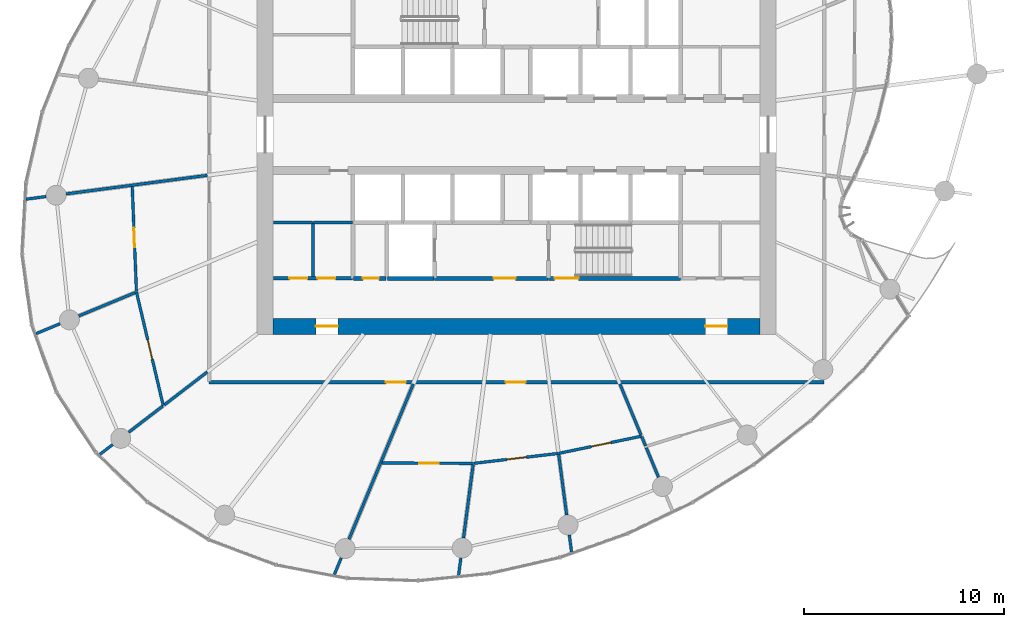
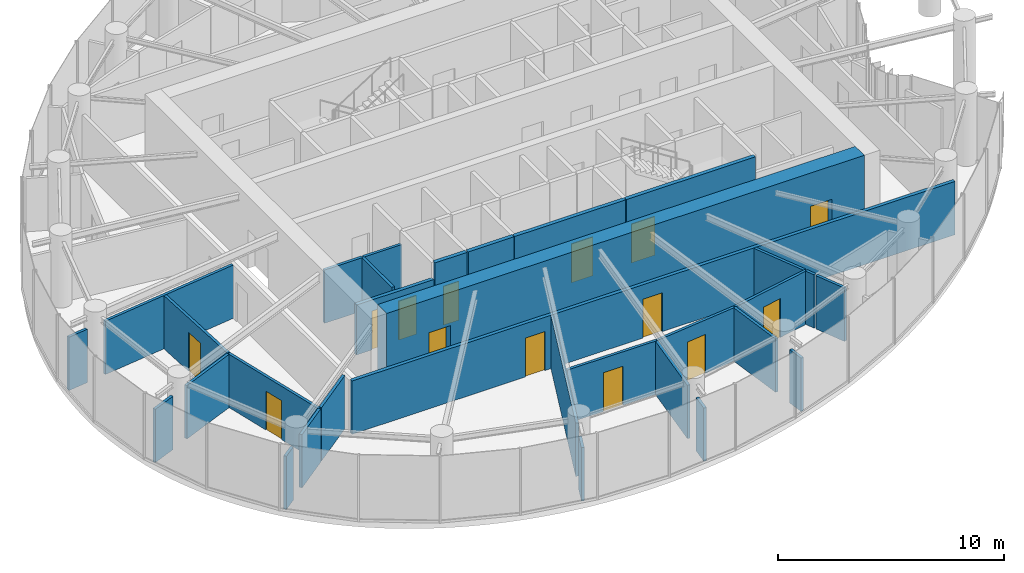
# One storey, part 13 of 19: 31 walls, 14 doors, 14 openings.
"""IFC4 building model written with IfcOpenShell, lengths in metres."""

from ifc_helpers import new_model, si_unit, direction, frame, frame_2d, origin, place, context, subcontext, project, spatial, rectangle, extrude, source, transform, mapped, material, layer, layer_set, type_object, element, fill, save


model = new_model("IFC4")

# Units and contexts
model_context = context("Model", 3, precision=1e-05, world=origin(), true_north=direction((0.0, 1.0)))
body_context = subcontext(model_context, "Body", "Model", "MODEL_VIEW")
ifc_project = project(units=[si_unit("LENGTHUNIT", "METRE"), si_unit("AREAUNIT", "SQUARE_METRE"), si_unit("VOLUMEUNIT", "CUBIC_METRE"), si_unit("PLANEANGLEUNIT", "RADIAN"), si_unit("MASSUNIT", "GRAM", prefix="KILO")], contexts=[model_context])

# Site, building, storey
site_placement = place(None, origin())
site = spatial("IfcSite", under=ifc_project, at=site_placement, CompositionType="ELEMENT")
building_placement = place(site_placement, origin())
building = spatial("IfcBuilding", under=site, at=building_placement, Name="Spindrift Exchange Tower", CompositionType="ELEMENT")
storey_placement = place(building_placement, frame((0.0, 0.0, 137.0)))
storey = spatial("IfcBuildingStorey", under=building, at=storey_placement, Name="L32", CompositionType="ELEMENT", Elevation=137.0)

# Wall, openings, doors
ifc_material_1 = material(Name="Concrete 65 MPa", Category="concrete")
ifc_layer_1 = layer(ifc_material_1, 0.800048828125)
ifc_layer_set_1 = layer_set([ifc_layer_1], Name="RC Core Wall 800 Concrete 65 MPa")
wall_type_1 = type_object("IfcWallType", Name="RC Core Wall 800 Concrete 65 MPa", PredefinedType="SHEAR", material=ifc_layer_set_1)
wall_1_placement = place(storey_placement, frame((39.800048828125, 38.39990234375, 0.0), z_axis=(0.0, 0.0, 1.0), x_axis=(1.0, 0.0, 0.0)))
wall_1 = element("IfcWall", 1, at=wall_1_placement, inside=storey, type_object=wall_type_1, Name="Core wall S L32", PredefinedType="SHEAR", context=body_context, shape_type="SweptSolid", body=[
    extrude(rectangle(XDim=24.39990234375, YDim=0.800048828125, at=frame_2d((12.199951171875, 0.0))), origin(), (0.0, 0.0, 1.0), 3.89990234375),
])
opening_1_placement = place(wall_1_placement, frame((21.64990234375, 0.0, 0.0)))
opening_1 = element("IfcOpeningElement", 2, at=opening_1_placement, cuts=wall_1, Name="Opening L32-D21", PredefinedType="OPENING", context=body_context, shape_type="SweptSolid", body=[
    extrude(rectangle(XDim=1.10009765625, YDim=2.10009765625, at=frame_2d((0.550048828125, 1.050048828125))), frame((0.0, 0.409912109375, 0.0), z_axis=(0.0, -1.0, 0.0), x_axis=(1.0, 0.0, 0.0)), (0.0, 0.0, 1.0), 0.820068359375),
])
opening_2_placement = place(wall_1_placement, frame((2.14990234375, 0.0, 0.0)))
opening_2 = element("IfcOpeningElement", 3, at=opening_2_placement, cuts=wall_1, Name="Opening L32-D22", PredefinedType="OPENING", context=body_context, shape_type="SweptSolid", body=[
    extrude(rectangle(XDim=1.10009765625, YDim=2.10009765625, at=frame_2d((0.550048828125, 1.050048828125))), frame((0.0, 0.409912109375, 0.0), z_axis=(0.0, -1.0, 0.0), x_axis=(1.0, 0.0, 0.0)), (0.0, 0.0, 1.0), 0.820068359375),
])
ifc_material_2 = material(Name="Steel fire door", Category="steel")
door_type_1 = type_object("IfcDoorType", Name="DR-STAIR-1100", OperationType="NOTDEFINED", PredefinedType="DOOR", material=ifc_material_2)
shared_shape_1 = source(origin(), body_context, "Body", "SweptSolid", [
    extrude(rectangle(XDim=1.10009765625, YDim=2.10009765625, at=frame_2d((0.550048828125, 1.050048828125))), frame((0.0, 0.02490234375, 0.0), z_axis=(0.0, -1.0, 0.0), x_axis=(1.0, 0.0, 0.0)), (0.0, 0.0, 1.0), 0.050048828125),
])
door_1_placement = place(opening_1_placement, origin())
door_1 = element("IfcDoor", 4, at=door_1_placement, inside=storey, type_object=door_type_1, Name="L32 Stair door 21", OperationType="SINGLE_SWING_LEFT", OverallHeight=2.10009765625, OverallWidth=1.10009765625, PredefinedType="DOOR", context=body_context, shape_type="MappedRepresentation", body=[
    mapped(shared_shape_1, transform((0.0, 0.0, 0.0), scale=1.0)),
])
fill(opening_1, door_1)
door_2_placement = place(opening_2_placement, origin())
door_2 = element("IfcDoor", 5, at=door_2_placement, inside=storey, type_object=door_type_1, Name="L32 Stair door 22", OperationType="SINGLE_SWING_RIGHT", OverallHeight=2.10009765625, OverallWidth=1.10009765625, PredefinedType="DOOR", context=body_context, shape_type="MappedRepresentation", body=[
    mapped(shared_shape_1, transform((0.0, 0.0, 0.0), scale=1.0)),
])
fill(opening_2, door_2)

ifc_material_3 = material(Name="Fire-rated plasterboard partition", Category="gypsum")
ifc_layer_2 = layer(ifc_material_3, 0.179931640625)
ifc_layer_set_2 = layer_set([ifc_layer_2], Name="W-CORR-180")
wall_type_2 = type_object("IfcWallType", Name="W-CORR-180", PredefinedType="PARTITIONING", material=ifc_layer_set_2)
wall_2_placement = place(storey_placement, frame((67.39990234375, 35.60009765625, 0.0), z_axis=(0.0, 0.0, 1.0), x_axis=(-1.0, 0.0, 0.0)))
wall_2 = element("IfcWall", 6, at=wall_2_placement, inside=storey, type_object=wall_type_2, Name="L32 Partition wall 55", PredefinedType="PARTITIONING", context=body_context, shape_type="SweptSolid", body=[
    extrude(rectangle(XDim=30.7998046875, YDim=0.179931640625, at=frame_2d((15.39990234375, 0.0))), origin(), (0.0, 0.0, 1.0), 2.8798828125),
])
opening_3_placement = place(wall_2_placement, frame((20.949951171875, 0.0, 0.0)))
opening_3 = element("IfcOpeningElement", 7, at=opening_3_placement, cuts=wall_2, Name="Opening L32-D41", PredefinedType="OPENING", context=body_context, shape_type="SweptSolid", body=[
    extrude(rectangle(XDim=1.0, YDim=2.10009765625, at=frame_2d((0.5, 1.050048828125))), frame((0.0, 0.099853515625, 0.0), z_axis=(0.0, -1.0, 0.0), x_axis=(1.0, 0.0, 0.0)), (0.0, 0.0, 1.0), 0.199951171875),
])
opening_4_placement = place(wall_2_placement, frame((14.949951171875, 0.0, 0.0)))
opening_4 = element("IfcOpeningElement", 8, at=opening_4_placement, cuts=wall_2, Name="Opening L32-D42", PredefinedType="OPENING", context=body_context, shape_type="SweptSolid", body=[
    extrude(rectangle(XDim=1.0, YDim=2.10009765625, at=frame_2d((0.5, 1.050048828125))), frame((0.0, 0.099853515625, 0.0), z_axis=(0.0, -1.0, 0.0), x_axis=(1.0, 0.0, 0.0)), (0.0, 0.0, 1.0), 0.199951171875),
])
ifc_material_4 = material(Name="Timber-core fire door", Category="wood")
door_type_2 = type_object("IfcDoorType", Name="DR-ROOM-1000", OperationType="NOTDEFINED", PredefinedType="DOOR", material=ifc_material_4)
shared_shape_2 = source(origin(), body_context, "Body", "SweptSolid", [
    extrude(rectangle(XDim=1.0, YDim=2.10009765625, at=frame_2d((0.5, 1.050048828125))), frame((0.0, 0.02490234375, 0.0), z_axis=(0.0, -1.0, 0.0), x_axis=(1.0, 0.0, 0.0)), (0.0, 0.0, 1.0), 0.050048828125),
])
door_3_placement = place(opening_3_placement, origin())
door_3 = element("IfcDoor", 9, at=door_3_placement, inside=storey, type_object=door_type_2, Name="L32 Door 41", OperationType="SINGLE_SWING_LEFT", OverallHeight=2.10009765625, OverallWidth=1.0, PredefinedType="DOOR", context=body_context, shape_type="MappedRepresentation", body=[
    mapped(shared_shape_2, transform((0.0, 0.0, 0.0), scale=1.0)),
])
fill(opening_3, door_3)
door_4_placement = place(opening_4_placement, origin())
door_4 = element("IfcDoor", 10, at=door_4_placement, inside=storey, type_object=door_type_2, Name="L32 Door 42", OperationType="SINGLE_SWING_RIGHT", OverallHeight=2.10009765625, OverallWidth=1.0, PredefinedType="DOOR", context=body_context, shape_type="MappedRepresentation", body=[
    mapped(shared_shape_2, transform((0.0, 0.0, 0.0), scale=1.0)),
])
fill(opening_4, door_4)

wall_3_placement = place(storey_placement, frame((39.820068359375, 40.800048828125, 0.0), z_axis=(0.0, 0.0, 1.0), x_axis=(1.0, 0.0, 0.0)))
wall_3 = element("IfcWall", 11, at=wall_3_placement, inside=storey, type_object=wall_type_2, Name="L32 Partition wall 61", PredefinedType="PARTITIONING", context=body_context, shape_type="SweptSolid", body=[
    extrude(rectangle(XDim=3.949951171875, YDim=0.179931640625, at=frame_2d((1.97509765625, 0.0))), origin(), (0.0, 0.0, 1.0), 2.699951171875),
])
opening_5_placement = place(wall_3_placement, frame((0.800048828125, 0.0, 0.0)))
opening_5 = element("IfcOpeningElement", 12, at=opening_5_placement, cuts=wall_3, Name="Opening L32-D52", PredefinedType="OPENING", context=body_context, shape_type="SweptSolid", body=[
    extrude(rectangle(XDim=0.89990234375, YDim=2.10009765625, at=frame_2d((0.449951171875, 1.050048828125))), frame((0.0, 0.099853515625, 0.0), z_axis=(0.0, -1.0, 0.0), x_axis=(1.0, 0.0, 0.0)), (0.0, 0.0, 1.0), 0.199951171875),
])
opening_6_placement = place(wall_3_placement, frame((2.199951171875, 0.0, 0.0)))
opening_6 = element("IfcOpeningElement", 13, at=opening_6_placement, cuts=wall_3, Name="Opening L32-D53", PredefinedType="OPENING", context=body_context, shape_type="SweptSolid", body=[
    extrude(rectangle(XDim=0.89990234375, YDim=2.10009765625, at=frame_2d((0.449951171875, 1.050048828125))), frame((0.0, 0.099853515625, 0.0), z_axis=(0.0, -1.0, 0.0), x_axis=(1.0, 0.0, 0.0)), (0.0, 0.0, 1.0), 0.199951171875),
])
ifc_material_5 = material(Name="Steel access door", Category="steel")
door_type_3 = type_object("IfcDoorType", Name="DR-RISER-900", OperationType="NOTDEFINED", PredefinedType="DOOR", material=ifc_material_5)
shared_shape_3 = source(origin(), body_context, "Body", "SweptSolid", [
    extrude(rectangle(XDim=0.89990234375, YDim=2.10009765625, at=frame_2d((0.449951171875, 1.050048828125))), frame((0.0, 0.02490234375, 0.0), z_axis=(0.0, -1.0, 0.0), x_axis=(1.0, 0.0, 0.0)), (0.0, 0.0, 1.0), 0.050048828125),
])
door_5_placement = place(opening_5_placement, origin())
door_5 = element("IfcDoor", 14, at=door_5_placement, inside=storey, type_object=door_type_3, Name="L32 Riser door 52", OperationType="SINGLE_SWING_RIGHT", OverallHeight=2.10009765625, OverallWidth=0.89990234375, PredefinedType="DOOR", context=body_context, shape_type="MappedRepresentation", body=[
    mapped(shared_shape_3, transform((0.0, 0.0, 0.0), scale=1.0)),
])
fill(opening_5, door_5)
door_6_placement = place(opening_6_placement, origin())
door_6 = element("IfcDoor", 15, at=door_6_placement, inside=storey, type_object=door_type_3, Name="L32 Riser door 53", OperationType="SINGLE_SWING_LEFT", OverallHeight=2.10009765625, OverallWidth=0.89990234375, PredefinedType="DOOR", context=body_context, shape_type="MappedRepresentation", body=[
    mapped(shared_shape_3, transform((0.0, 0.0, 0.0), scale=1.0)),
])
fill(opening_6, door_6)

# Walls
ifc_layer_3 = layer(ifc_material_3, 0.139892578125)
ifc_layer_set_3 = layer_set([ifc_layer_3], Name="W-PART-140")
wall_type_3 = type_object("IfcWallType", Name="W-PART-140", PredefinedType="PARTITIONING", material=ifc_layer_set_3)
wall_4_placement = place(storey_placement, frame((43.606201171875, 27.735595703125, 0.0), z_axis=(0.0, 0.0, 1.0), x_axis=(0.382678066506, 0.923881755104, 0.0)))
element("IfcWall", 16, at=wall_4_placement, inside=storey, type_object=wall_type_3, Name="L32 Partition wall 63", PredefinedType="PARTITIONING", context=body_context, shape_type="SweptSolid", body=[
    extrude(rectangle(XDim=8.4150390625, YDim=0.139892578125, at=frame_2d((4.20751953125, 0.0))), origin(), (0.0, 0.0, 1.0), 2.8798828125),
])
wall_5_placement = place(storey_placement, frame((36.510009765625, 45.960693359375, 0.0), z_axis=(0.0, 0.0, 1.0), x_axis=(-0.991447420849, -0.130506749601, 0.0)))
element("IfcWall", 17, at=wall_5_placement, inside=storey, type_object=wall_type_3, Name="L32 Partition wall 64", PredefinedType="PARTITIONING", context=body_context, shape_type="SweptSolid", body=[
    extrude(rectangle(XDim=7.133056640625, YDim=0.139892578125, at=frame_2d((3.56640625, 0.0))), origin(), (0.0, 0.0, 1.0), 2.8798828125),
])

# Wall, opening, door
wall_6_placement = place(storey_placement, frame((34.304931640625, 34.422119140625, 0.0), z_axis=(0.0, 0.0, 1.0), x_axis=(-0.229548849755, 0.973297141461, 0.0)))
wall_6 = element("IfcWall", 18, at=wall_6_placement, inside=storey, type_object=wall_type_3, Name="L32 Partition wall 65", PredefinedType="PARTITIONING", context=body_context, shape_type="SweptSolid", body=[
    extrude(rectangle(XDim=5.8486328125, YDim=0.139892578125, at=frame_2d((2.92431640625, 0.0))), origin(), (0.0, 0.0, 1.0), 2.8798828125),
])
opening_7_placement = place(wall_6_placement, frame((2.3984375, 0.0, 0.0)))
opening_7 = element("IfcOpeningElement", 19, at=opening_7_placement, cuts=wall_6, Name="Opening L32-D40", PredefinedType="OPENING", context=body_context, shape_type="SweptSolid", body=[
    extrude(rectangle(XDim=1.0, YDim=2.10009765625, at=frame_2d((0.5, 1.050048828125))), frame((0.0, 0.079833984375, 0.0), z_axis=(0.0, -1.0, 0.0), x_axis=(1.0, 0.0, 0.0)), (0.0, 0.0, 1.0), 0.159912109375),
])
door_7_placement = place(opening_7_placement, origin())
door_7 = element("IfcDoor", 20, at=door_7_placement, inside=storey, type_object=door_type_2, Name="L32 Door 40", OperationType="SINGLE_SWING_RIGHT", OverallHeight=2.10009765625, OverallWidth=1.0, PredefinedType="DOOR", context=body_context, shape_type="MappedRepresentation", body=[
    mapped(shared_shape_2, transform((0.0, 0.0, 0.0), scale=1.0)),
])
fill(opening_7, door_7)

wall_7_placement = place(storey_placement, frame((32.961181640625, 40.144287109375, 0.0), z_axis=(0.0, 0.0, 1.0), x_axis=(-0.040140589207, 0.999194041765, 0.0)))
wall_7 = element("IfcWall", 21, at=wall_7_placement, inside=storey, type_object=wall_type_3, Name="L32 Partition wall 69", PredefinedType="PARTITIONING", context=body_context, shape_type="SweptSolid", body=[
    extrude(rectangle(XDim=5.2548828125, YDim=0.139892578125, at=frame_2d((2.62744140625, 0.0))), origin(), (0.0, 0.0, 1.0), 2.8798828125),
])
opening_8_placement = place(wall_7_placement, frame((2.205078125, 0.0, 0.0)))
opening_8 = element("IfcOpeningElement", 22, at=opening_8_placement, cuts=wall_7, Name="Opening L32-D39", PredefinedType="OPENING", context=body_context, shape_type="SweptSolid", body=[
    extrude(rectangle(XDim=1.0, YDim=2.10009765625, at=frame_2d((0.5, 1.050048828125))), frame((0.0, 0.079833984375, 0.0), z_axis=(0.0, -1.0, 0.0), x_axis=(1.0, 0.0, 0.0)), (0.0, 0.0, 1.0), 0.159912109375),
])
door_8_placement = place(opening_8_placement, origin())
door_8 = element("IfcDoor", 23, at=door_8_placement, inside=storey, type_object=door_type_2, Name="L32 Door 39", OperationType="SINGLE_SWING_LEFT", OverallHeight=2.10009765625, OverallWidth=1.0, PredefinedType="DOOR", context=body_context, shape_type="MappedRepresentation", body=[
    mapped(shared_shape_2, transform((0.0, 0.0, 0.0), scale=1.0)),
])
fill(opening_8, door_8)

wall_8_placement = place(storey_placement, frame((49.83203125, 31.53271484375, 0.0), z_axis=(0.0, 0.0, 1.0), x_axis=(-0.999989439774, 0.004595687053, 0.0)))
wall_8 = element("IfcWall", 24, at=wall_8_placement, inside=storey, type_object=wall_type_3, Name="L32 Partition wall 76", PredefinedType="PARTITIONING", context=body_context, shape_type="SweptSolid", body=[
    extrude(rectangle(XDim=4.568603515625, YDim=0.139892578125, at=frame_2d((2.2841796875, 0.0))), origin(), (0.0, 0.0, 1.0), 2.8798828125),
])
opening_9_placement = place(wall_8_placement, frame((1.718505859375, 0.0, 0.0)))
opening_9 = element("IfcOpeningElement", 25, at=opening_9_placement, cuts=wall_8, Name="Opening L32-D43", PredefinedType="OPENING", context=body_context, shape_type="SweptSolid", body=[
    extrude(rectangle(XDim=1.0, YDim=2.10009765625, at=frame_2d((0.5, 1.050048828125))), frame((0.0, 0.079833984375, 0.0), z_axis=(0.0, -1.0, 0.0), x_axis=(1.0, 0.0, 0.0)), (0.0, 0.0, 1.0), 0.159912109375),
])
door_9_placement = place(opening_9_placement, origin())
door_9 = element("IfcDoor", 26, at=door_9_placement, inside=storey, type_object=door_type_2, Name="L32 Door 43", OperationType="SINGLE_SWING_LEFT", OverallHeight=2.10009765625, OverallWidth=1.0, PredefinedType="DOOR", context=body_context, shape_type="MappedRepresentation", body=[
    mapped(shared_shape_2, transform((0.0, 0.0, 0.0), scale=1.0)),
])
fill(opening_9, door_9)

wall_9_placement = place(storey_placement, frame((54.101806640625, 32.0341796875, 0.0), z_axis=(0.0, 0.0, 1.0), x_axis=(-0.993178291909, -0.116605662302, 0.0)))
wall_9 = element("IfcWall", 27, at=wall_9_placement, inside=storey, type_object=wall_type_3, Name="L32 Partition wall 82", PredefinedType="PARTITIONING", context=body_context, shape_type="SweptSolid", body=[
    extrude(rectangle(XDim=4.26904296875, YDim=0.139892578125, at=frame_2d((2.134521484375, 0.0))), origin(), (0.0, 0.0, 1.0), 2.8798828125),
])
opening_10_placement = place(wall_9_placement, frame((1.619384765625, 0.0, 0.0)))
opening_10 = element("IfcOpeningElement", 28, at=opening_10_placement, cuts=wall_9, Name="Opening L32-D44", PredefinedType="OPENING", context=body_context, shape_type="SweptSolid", body=[
    extrude(rectangle(XDim=1.0, YDim=2.10009765625, at=frame_2d((0.5, 1.050048828125))), frame((0.0, 0.079833984375, 0.0), z_axis=(0.0, -1.0, 0.0), x_axis=(1.0, 0.0, 0.0)), (0.0, 0.0, 1.0), 0.159912109375),
])
door_10_placement = place(opening_10_placement, origin())
door_10 = element("IfcDoor", 29, at=door_10_placement, inside=storey, type_object=door_type_2, Name="L32 Door 44", OperationType="SINGLE_SWING_RIGHT", OverallHeight=2.10009765625, OverallWidth=1.0, PredefinedType="DOOR", context=body_context, shape_type="MappedRepresentation", body=[
    mapped(shared_shape_2, transform((0.0, 0.0, 0.0), scale=1.0)),
])
fill(opening_10, door_10)

wall_10_placement = place(storey_placement, frame((58.255859375, 32.896728515625, 0.0), z_axis=(0.0, 0.0, 1.0), x_axis=(-0.979114250406, -0.203310808004, 0.0)))
wall_10 = element("IfcWall", 30, at=wall_10_placement, inside=storey, type_object=wall_type_3, Name="L32 Partition wall 83", PredefinedType="PARTITIONING", context=body_context, shape_type="SweptSolid", body=[
    extrude(rectangle(XDim=4.21240234375, YDim=0.139892578125, at=frame_2d((2.106201171875, 0.0))), origin(), (0.0, 0.0, 1.0), 2.8798828125),
])
opening_11_placement = place(wall_10_placement, frame((1.5625, 0.0, 0.0)))
opening_11 = element("IfcOpeningElement", 31, at=opening_11_placement, cuts=wall_10, Name="Opening L32-D45", PredefinedType="OPENING", context=body_context, shape_type="SweptSolid", body=[
    extrude(rectangle(XDim=1.0, YDim=2.10009765625, at=frame_2d((0.5, 1.050048828125))), frame((0.0, 0.079833984375, 0.0), z_axis=(0.0, -1.0, 0.0), x_axis=(1.0, 0.0, 0.0)), (0.0, 0.0, 1.0), 0.159912109375),
])
door_11_placement = place(opening_11_placement, origin())
door_11 = element("IfcDoor", 32, at=door_11_placement, inside=storey, type_object=door_type_2, Name="L32 Door 45", OperationType="SINGLE_SWING_LEFT", OverallHeight=2.10009765625, OverallWidth=1.0, PredefinedType="DOOR", context=body_context, shape_type="MappedRepresentation", body=[
    mapped(shared_shape_2, transform((0.0, 0.0, 0.0), scale=1.0)),
])
fill(opening_11, door_11)

# Walls
wall_11_placement = place(storey_placement, frame((49.82275390625, 31.462890625, 0.0), z_axis=(0.0, 0.0, 1.0), x_axis=(-0.130529622112, -0.991444409814, 0.0)))
element("IfcWall", 33, at=wall_11_placement, inside=storey, type_object=wall_type_3, Name="L32 Partition wall 86", PredefinedType="PARTITIONING", context=body_context, shape_type="SweptSolid", body=[
    extrude(rectangle(XDim=3.69970703125, YDim=0.139892578125, at=frame_2d((1.849853515625, 0.0))), origin(), (0.0, 0.0, 1.0), 2.8798828125),
])
wall_12_placement = place(storey_placement, frame((58.267333984375, 32.869140625, 0.0), z_axis=(0.0, 0.0, 1.0), x_axis=(0.382871995511, -0.923801404553, 0.0)))
element("IfcWall", 34, at=wall_12_placement, inside=storey, type_object=wall_type_3, Name="L32 Partition wall 87", PredefinedType="PARTITIONING", context=body_context, shape_type="SweptSolid", body=[
    extrude(rectangle(XDim=0.497314453125, YDim=0.139892578125, at=frame_2d((0.24853515625, 0.0))), origin(), (0.0, 0.0, 1.0), 2.8798828125),
])
wall_13_placement = place(storey_placement, frame((57.173583984375, 35.510009765625, 0.0), z_axis=(0.0, 0.0, 1.0), x_axis=(0.382690664401, -0.923876536871, 0.0)))
element("IfcWall", 35, at=wall_13_placement, inside=storey, type_object=wall_type_3, Name="L32 Partition wall 88", PredefinedType="PARTITIONING", context=body_context, shape_type="SweptSolid", body=[
    extrude(rectangle(XDim=2.75732421875, YDim=0.139892578125, at=frame_2d((1.378662109375, 0.0))), origin(), (0.0, 0.0, 1.0), 2.8798828125),
])
wall_14_placement = place(storey_placement, frame((32.89697265625, 40.08740234375, 0.0), z_axis=(0.0, 0.0, 1.0), x_axis=(-0.923868053335, -0.382711144374, 0.0)))
element("IfcWall", 36, at=wall_14_placement, inside=storey, type_object=wall_type_3, Name="L32 Partition wall 89", PredefinedType="PARTITIONING", context=body_context, shape_type="SweptSolid", body=[
    extrude(rectangle(XDim=3.06005859375, YDim=0.139892578125, at=frame_2d((1.530029296875, 0.0))), origin(), (0.0, 0.0, 1.0), 2.8798828125),
])
wall_15_placement = place(storey_placement, frame((54.10595703125, 32.00439453125, 0.0), z_axis=(0.0, 0.0, 1.0), x_axis=(0.130466807305, -0.991452677737, 0.0)))
element("IfcWall", 37, at=wall_15_placement, inside=storey, type_object=wall_type_3, Name="L32 Partition wall 90", PredefinedType="PARTITIONING", context=body_context, shape_type="SweptSolid", body=[
    extrude(rectangle(XDim=3.08203125, YDim=0.139892578125, at=frame_2d((1.541015625, 0.0))), origin(), (0.0, 0.0, 1.0), 2.8798828125),
])
wall_16_placement = place(storey_placement, frame((36.510009765625, 36.114013671875, 0.0), z_axis=(0.0, 0.0, 1.0), x_axis=(-0.793382381067, -0.608723580463, 0.0)))
element("IfcWall", 38, at=wall_16_placement, inside=storey, type_object=wall_type_3, Name="L32 Partition wall 91", PredefinedType="PARTITIONING", context=body_context, shape_type="SweptSolid", body=[
    extrude(rectangle(XDim=2.702392578125, YDim=0.139892578125, at=frame_2d((1.35107421875, 0.0))), origin(), (0.0, 0.0, 1.0), 2.8798828125),
])
wall_17_placement = place(storey_placement, frame((41.800048828125, 40.889892578125, 0.0), z_axis=(0.0, 0.0, 1.0), x_axis=(0.0, 1.0, 0.0)))
element("IfcWall", 39, at=wall_17_placement, inside=storey, type_object=wall_type_3, Name="L32 Partition wall 92", PredefinedType="PARTITIONING", context=body_context, shape_type="SweptSolid", body=[
    extrude(rectangle(XDim=2.710205078125, YDim=0.139892578125, at=frame_2d((1.35498046875, 0.0))), origin(), (0.0, 0.0, 1.0), 2.8798828125),
])
wall_18_placement = place(storey_placement, frame((58.49609375, 32.31689453125, 0.0), z_axis=(0.0, 0.0, 1.0), x_axis=(0.382770137499, -0.923843613302, 0.0)))
element("IfcWall", 40, at=wall_18_placement, inside=storey, type_object=wall_type_3, Name="L32 Partition wall 97", PredefinedType="PARTITIONING", context=body_context, shape_type="SweptSolid", body=[
    extrude(rectangle(XDim=1.59765625, YDim=0.139892578125, at=frame_2d((0.798828125, 0.0))), origin(), (0.0, 0.0, 1.0), 2.8798828125),
])
wall_19_placement = place(storey_placement, frame((34.28125, 34.40380859375, 0.0), z_axis=(0.0, 0.0, 1.0), x_axis=(-0.793416377259, -0.608679268824, 0.0)))
element("IfcWall", 41, at=wall_19_placement, inside=storey, type_object=wall_type_3, Name="L32 Partition wall 98", PredefinedType="PARTITIONING", context=body_context, shape_type="SweptSolid", body=[
    extrude(rectangle(XDim=2.151611328125, YDim=0.139892578125, at=frame_2d((1.07568359375, 0.0))), origin(), (0.0, 0.0, 1.0), 2.8798828125),
])
wall_20_placement = place(storey_placement, frame((43.77001953125, 43.60009765625, 0.0), z_axis=(0.0, 0.0, 1.0), x_axis=(-1.0, 0.0, 0.0)))
element("IfcWall", 42, at=wall_20_placement, inside=storey, type_object=wall_type_3, Name="L32 Partition wall 100", PredefinedType="PARTITIONING", context=body_context, shape_type="SweptSolid", body=[
    extrude(rectangle(XDim=1.93994140625, YDim=0.139892578125, at=frame_2d((0.969970703125, 0.0))), origin(), (0.0, 0.0, 1.0), 2.8798828125),
])
wall_21_placement = place(storey_placement, frame((41.77001953125, 43.60009765625, 0.0), z_axis=(0.0, 0.0, 1.0), x_axis=(-1.0, 0.0, 0.0)))
element("IfcWall", 43, at=wall_21_placement, inside=storey, type_object=wall_type_3, Name="L32 Partition wall 105", PredefinedType="PARTITIONING", context=body_context, shape_type="SweptSolid", body=[
    extrude(rectangle(XDim=1.949951171875, YDim=0.139892578125, at=frame_2d((0.97509765625, 0.0))), origin(), (0.0, 0.0, 1.0), 2.8798828125),
])
wall_22_placement = place(storey_placement, frame((29.13671875, 38.52978515625, 0.0), z_axis=(0.0, 0.0, 1.0), x_axis=(-0.923860720697, -0.382728844945, 0.0)))
element("IfcWall", 44, at=wall_22_placement, inside=storey, type_object=wall_type_3, Name="L32 Partition wall 113", PredefinedType="PARTITIONING", context=body_context, shape_type="SweptSolid", body=[
    extrude(rectangle(XDim=1.296142578125, YDim=0.139892578125, at=frame_2d((0.64794921875, 0.0))), origin(), (0.0, 0.0, 1.0), 2.8798828125),
])
wall_23_placement = place(storey_placement, frame((28.43798828125, 44.89794921875, 0.0), z_axis=(0.0, 0.0, 1.0), x_axis=(-0.991446142493, -0.130516460787, 0.0)))
element("IfcWall", 45, at=wall_23_placement, inside=storey, type_object=wall_type_3, Name="L32 Partition wall 115", PredefinedType="PARTITIONING", context=body_context, shape_type="SweptSolid", body=[
    extrude(rectangle(XDim=1.01953125, YDim=0.139892578125, at=frame_2d((0.509765625, 0.0))), origin(), (0.0, 0.0, 1.0), 2.8798828125),
])
wall_24_placement = place(storey_placement, frame((43.2197265625, 26.802490234375, 0.0), z_axis=(0.0, 0.0, 1.0), x_axis=(-0.382812744071, -0.923825959246, 0.0)))
element("IfcWall", 46, at=wall_24_placement, inside=storey, type_object=wall_type_3, Name="L32 Partition wall 118", PredefinedType="PARTITIONING", context=body_context, shape_type="SweptSolid", body=[
    extrude(rectangle(XDim=0.904296875, YDim=0.139892578125, at=frame_2d((0.4521484375, 0.0))), origin(), (0.0, 0.0, 1.0), 2.8798828125),
])
wall_25_placement = place(storey_placement, frame((49.208251953125, 26.794677734375, 0.0), z_axis=(0.0, 0.0, 1.0), x_axis=(-0.130575653556, -0.99143834841, 0.0)))
element("IfcWall", 47, at=wall_25_placement, inside=storey, type_object=wall_type_3, Name="L32 Partition wall 119", PredefinedType="PARTITIONING", context=body_context, shape_type="SweptSolid", body=[
    extrude(rectangle(XDim=0.88623046875, YDim=0.139892578125, at=frame_2d((0.443115234375, 0.0))), origin(), (0.0, 0.0, 1.0), 2.8798828125),
])
wall_26_placement = place(storey_placement, frame((54.639892578125, 27.948486328125, 0.0), z_axis=(0.0, 0.0, 1.0), x_axis=(0.130499323257, -0.99144839837, 0.0)))
element("IfcWall", 48, at=wall_26_placement, inside=storey, type_object=wall_type_3, Name="L32 Partition wall 120", PredefinedType="PARTITIONING", context=body_context, shape_type="SweptSolid", body=[
    extrude(rectangle(XDim=0.845703125, YDim=0.139892578125, at=frame_2d((0.4228515625, 0.0))), origin(), (0.0, 0.0, 1.0), 2.8798828125),
])
wall_27_placement = place(storey_placement, frame((31.77392578125, 32.47998046875, 0.0), z_axis=(0.0, 0.0, 1.0), x_axis=(-0.79332296125, -0.6088010177, 0.0)))
element("IfcWall", 49, at=wall_27_placement, inside=storey, type_object=wall_type_3, Name="L32 Partition wall 124", PredefinedType="PARTITIONING", context=body_context, shape_type="SweptSolid", body=[
    extrude(rectangle(XDim=0.804443359375, YDim=0.139892578125, at=frame_2d((0.40234375, 0.0))), origin(), (0.0, 0.0, 1.0), 2.8798828125),
])
ifc_material_6 = material(Name="Concrete 40 MPa", Category="concrete")
ifc_layer_4 = layer(ifc_material_6, 0.199951171875)
ifc_layer_set_4 = layer_set([ifc_layer_4], Name="W-SHAFT-200")
wall_type_4 = type_object("IfcWallType", Name="W-SHAFT-200", PredefinedType="SOLIDWALL", material=ifc_layer_set_4)
wall_28_placement = place(storey_placement, frame((45.530029296875, 40.800048828125, 0.0), z_axis=(0.0, 0.0, 1.0), x_axis=(1.0, 0.0, 0.0)))
element("IfcWall", 50, at=wall_28_placement, inside=storey, type_object=wall_type_4, Name="L32 Shaft wall 21", PredefinedType="SOLIDWALL", context=body_context, shape_type="SweptSolid", body=[
    extrude(rectangle(XDim=2.340087890625, YDim=0.199951171875, at=frame_2d((1.169921875, 0.0))), origin(), (0.0, 0.0, 1.0), 3.580078125),
])

# Wall, opening, door
wall_29_placement = place(storey_placement, frame((43.830078125, 40.800048828125, 0.0), z_axis=(0.0, 0.0, 1.0), x_axis=(1.0, 0.0, 0.0)))
wall_29 = element("IfcWall", 51, at=wall_29_placement, inside=storey, type_object=wall_type_4, Name="L32 Shaft wall 40", PredefinedType="SOLIDWALL", context=body_context, shape_type="SweptSolid", body=[
    extrude(rectangle(XDim=1.639892578125, YDim=0.199951171875, at=frame_2d((0.81982421875, 0.0))), origin(), (0.0, 0.0, 1.0), 3.580078125),
])
opening_12_placement = place(wall_29_placement, frame((0.469970703125, 0.0, 0.0)))
opening_12 = element("IfcOpeningElement", 52, at=opening_12_placement, cuts=wall_29, Name="Opening L32-D18", PredefinedType="OPENING", context=body_context, shape_type="SweptSolid", body=[
    extrude(rectangle(XDim=0.800048828125, YDim=2.10009765625, at=frame_2d((0.39990234375, 1.050048828125))), frame((0.0, 0.10986328125, 0.0), z_axis=(0.0, -1.0, 0.0), x_axis=(1.0, 0.0, 0.0)), (0.0, 0.0, 1.0), 0.219970703125),
])
door_type_4 = type_object("IfcDoorType", Name="DR-RISER-800", OperationType="NOTDEFINED", PredefinedType="DOOR", material=ifc_material_5)
shared_shape_4 = source(origin(), body_context, "Body", "SweptSolid", [
    extrude(rectangle(XDim=0.800048828125, YDim=2.10009765625, at=frame_2d((0.39990234375, 1.050048828125))), frame((0.0, 0.02490234375, 0.0), z_axis=(0.0, -1.0, 0.0), x_axis=(1.0, 0.0, 0.0)), (0.0, 0.0, 1.0), 0.050048828125),
])
door_12_placement = place(opening_12_placement, origin())
door_12 = element("IfcDoor", 53, at=door_12_placement, inside=storey, type_object=door_type_4, Name="L32 Riser door 18", OperationType="SINGLE_SWING_RIGHT", OverallHeight=2.10009765625, OverallWidth=0.800048828125, PredefinedType="DOOR", context=body_context, shape_type="MappedRepresentation", body=[
    mapped(shared_shape_4, transform((0.0, 0.0, 0.0), scale=1.0)),
])
fill(opening_12, door_12)

ifc_layer_5 = layer(ifc_material_6, 0.199951171875)
ifc_layer_set_5 = layer_set([ifc_layer_5], Name="W-SHAFT-200-LB")
wall_type_5 = type_object("IfcWallType", Name="W-SHAFT-200-LB", PredefinedType="SOLIDWALL", material=ifc_layer_set_5)
wall_30_placement = place(storey_placement, frame((53.60009765625, 40.800048828125, 0.0), z_axis=(0.0, 0.0, 1.0), x_axis=(1.0, 0.0, 0.0)))
wall_30 = element("IfcWall", 54, at=wall_30_placement, inside=storey, type_object=wall_type_5, Name="L32 Shaft wall 2", PredefinedType="SOLIDWALL", context=body_context, shape_type="SweptSolid", body=[
    extrude(rectangle(XDim=6.599853515625, YDim=0.199951171875, at=frame_2d((3.2998046875, 0.0))), origin(), (0.0, 0.0, 1.0), 3.580078125),
])
opening_13_placement = place(wall_30_placement, frame((0.300048828125, 0.0, 0.0)))
opening_13 = element("IfcOpeningElement", 55, at=opening_13_placement, cuts=wall_30, Name="Opening L32-D15", PredefinedType="OPENING", context=body_context, shape_type="SweptSolid", body=[
    extrude(rectangle(XDim=1.199951171875, YDim=2.10009765625, at=frame_2d((0.60009765625, 1.050048828125))), frame((0.0, 0.10986328125, 0.0), z_axis=(0.0, -1.0, 0.0), x_axis=(1.0, 0.0, 0.0)), (0.0, 0.0, 1.0), 0.219970703125),
])
door_type_5 = type_object("IfcDoorType", Name="DR-STAIR-1200", OperationType="NOTDEFINED", PredefinedType="DOOR", material=ifc_material_2)
shared_shape_5 = source(origin(), body_context, "Body", "SweptSolid", [
    extrude(rectangle(XDim=1.199951171875, YDim=2.10009765625, at=frame_2d((0.60009765625, 1.050048828125))), frame((0.0, 0.02490234375, 0.0), z_axis=(0.0, -1.0, 0.0), x_axis=(1.0, 0.0, 0.0)), (0.0, 0.0, 1.0), 0.050048828125),
])
door_13_placement = place(opening_13_placement, origin())
door_13 = element("IfcDoor", 56, at=door_13_placement, inside=storey, type_object=door_type_5, Name="L32 Stair door 15", OperationType="SINGLE_SWING_LEFT", OverallHeight=2.10009765625, OverallWidth=1.199951171875, PredefinedType="DOOR", context=body_context, shape_type="MappedRepresentation", body=[
    mapped(shared_shape_5, transform((0.0, 0.0, 0.0), scale=1.0)),
])
fill(opening_13, door_13)

wall_31_placement = place(storey_placement, frame((47.89990234375, 40.800048828125, 0.0), z_axis=(0.0, 0.0, 1.0), x_axis=(1.0, 0.0, 0.0)))
wall_31 = element("IfcWall", 57, at=wall_31_placement, inside=storey, type_object=wall_type_5, Name="L32 Shaft wall 3", PredefinedType="SOLIDWALL", context=body_context, shape_type="SweptSolid", body=[
    extrude(rectangle(XDim=5.670166015625, YDim=0.199951171875, at=frame_2d((2.8349609375, 0.0))), origin(), (0.0, 0.0, 1.0), 3.580078125),
])
opening_14_placement = place(wall_31_placement, frame((2.949951171875, 0.0, 0.0)))
opening_14 = element("IfcOpeningElement", 58, at=opening_14_placement, cuts=wall_31, Name="Opening L32-D17", PredefinedType="OPENING", context=body_context, shape_type="SweptSolid", body=[
    extrude(rectangle(XDim=1.10009765625, YDim=2.10009765625, at=frame_2d((0.550048828125, 1.050048828125))), frame((0.0, 0.10986328125, 0.0), z_axis=(0.0, -1.0, 0.0), x_axis=(1.0, 0.0, 0.0)), (0.0, 0.0, 1.0), 0.219970703125),
])
door_type_6 = type_object("IfcDoorType", Name="DR-LOBBY-1100", OperationType="NOTDEFINED", PredefinedType="DOOR", material=ifc_material_4)
shared_shape_6 = source(origin(), body_context, "Body", "SweptSolid", [
    extrude(rectangle(XDim=1.10009765625, YDim=2.10009765625, at=frame_2d((0.550048828125, 1.050048828125))), frame((0.0, 0.02490234375, 0.0), z_axis=(0.0, -1.0, 0.0), x_axis=(1.0, 0.0, 0.0)), (0.0, 0.0, 1.0), 0.050048828125),
])
door_14_placement = place(opening_14_placement, origin())
door_14 = element("IfcDoor", 59, at=door_14_placement, inside=storey, type_object=door_type_6, Name="L32 Lobby door 17", OperationType="SINGLE_SWING_LEFT", OverallHeight=2.10009765625, OverallWidth=1.10009765625, PredefinedType="DOOR", context=body_context, shape_type="MappedRepresentation", body=[
    mapped(shared_shape_6, transform((0.0, 0.0, 0.0), scale=1.0)),
])
fill(opening_14, door_14)

save(model, "model.ifc")
